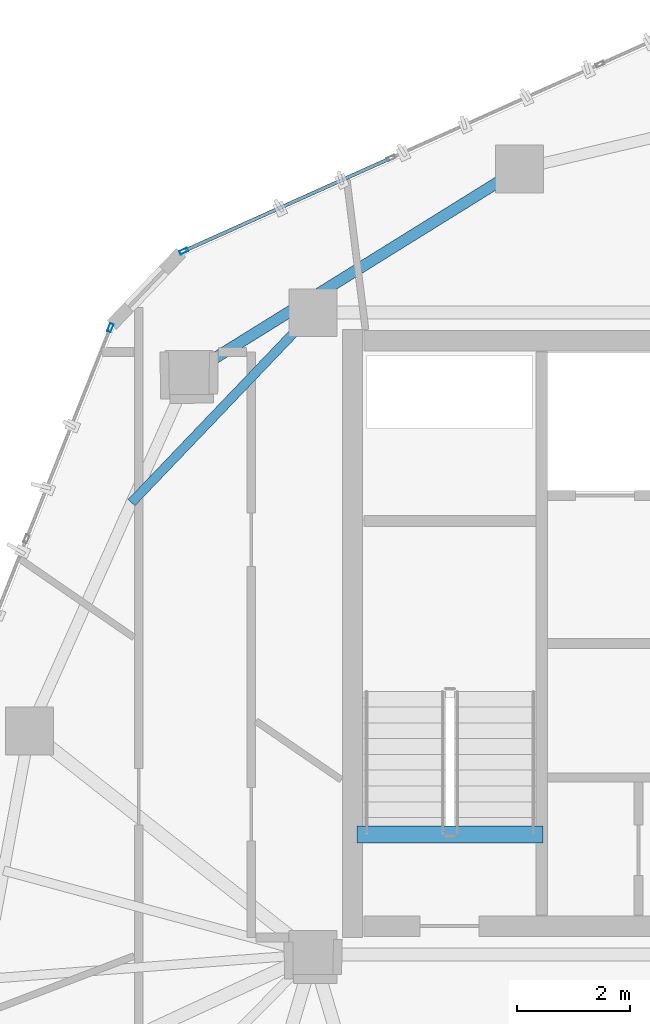
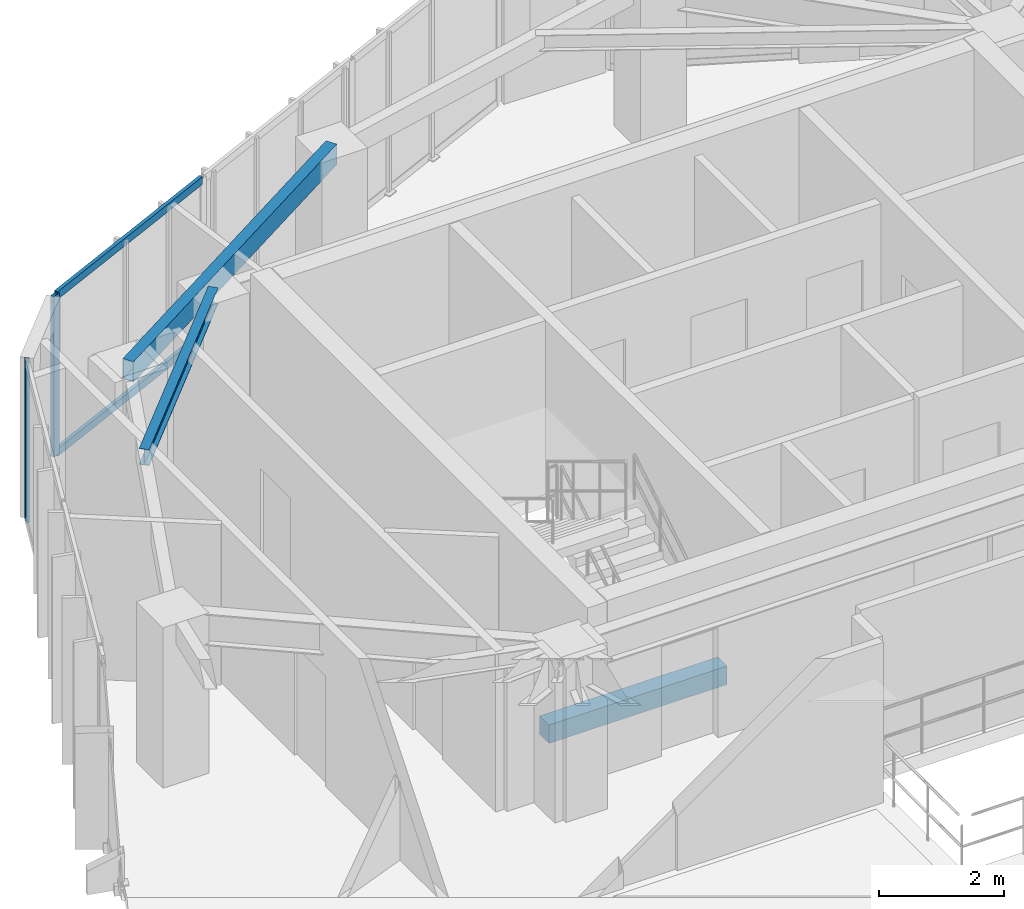
# One storey, part 8 of 21: 4 members, 3 beams, 2 elements without a shape of their own.
"""IFC4 building model written with IfcOpenShell, lengths in metres."""

import ifcopenshell
import ifcopenshell.guid

model = None  # the IFC model being written
_history = None  # IfcOwnerHistory: only IFC2X3 demands one
_inside = {}  # id of a spatial element -> (the spatial element, [elements in it])
_under = {}  # id of a project, library or spatial element -> (it, [spatial elements below it])
_declared = {}  # id of a project -> (the project, [libraries it declares])
_typed = {}  # id of a type object -> (the type object, [elements of that type])
_made_of = {}  # id of a material, layer set ... -> (it, [elements and type objects made of it])


def new_model(schema):
    """Start an empty IFC model of exactly this schema.

    Asked for "IFC4X3", IfcOpenShell would pick the latest addendum, in which some entities
    have other attributes; the version numbers below select the first issue.
    IFC2X3 requires an IfcOwnerHistory on every rooted entity: one is made here for all.
    """
    global model, _history
    if schema == "IFC4X3":
        model = ifcopenshell.file(schema_version=(4, 3, 0, 0))
    else:
        model = ifcopenshell.file(schema=schema)
    _inside.clear()
    _under.clear()
    _declared.clear()
    _typed.clear()
    _made_of.clear()
    _history = None
    if model.schema == "IFC2X3":
        org = make("IfcOrganization", Name="unknown")
        user = make(
            "IfcPersonAndOrganization",
            ThePerson=make("IfcPerson", FamilyName="unknown"),
            TheOrganization=org,
        )
        app = make(
            "IfcApplication",
            ApplicationDeveloper=org,
            Version="unknown",
            ApplicationFullName="unknown",
            ApplicationIdentifier="unknown",
        )
        _history = make(
            "IfcOwnerHistory",
            OwningUser=user,
            OwningApplication=app,
            ChangeAction="ADDED",
            CreationDate=0,
        )
    return model


def make(cls, **values):
    """One entity of the class cls with the attributes given. An attribute that is None is left unset."""
    return model.create_entity(
        cls, **{name: value for name, value in values.items() if value is not None}
    )


def rooted(cls, **values):
    """An entity with a GlobalId (a new one), such as an element, a storey or a relation."""
    return make(cls, GlobalId=ifcopenshell.guid.new(), OwnerHistory=_history, **values)


def si_unit(unit_type, name, prefix=None):
    """IfcSIUnit, for example si_unit("LENGTHUNIT", "METRE", prefix="MILLI")."""
    return make("IfcSIUnit", UnitType=unit_type, Prefix=prefix, Name=name)


def assignment(units):
    """IfcUnitAssignment: the units of a project."""
    return None if units is None else make("IfcUnitAssignment", Units=units)


def point(xyz):
    """IfcCartesianPoint."""
    return None if xyz is None else make("IfcCartesianPoint", Coordinates=xyz)


def direction(xyz):
    """IfcDirection."""
    return None if xyz is None else make("IfcDirection", DirectionRatios=xyz)


def frame(location, z_axis=None, x_axis=None):
    """IfcAxis2Placement3D, a coordinate frame: its origin and axes. An axis left out is left unset."""
    return make(
        "IfcAxis2Placement3D",
        Location=point(location),
        Axis=direction(z_axis),
        RefDirection=direction(x_axis),
    )


def frame_2d(location, x_axis=None):
    """IfcAxis2Placement2D, a coordinate frame in the plane: its origin and x axis."""
    return make(
        "IfcAxis2Placement2D", Location=point(location), RefDirection=direction(x_axis)
    )


def origin():
    """The frame at (0, 0, 0) with its axes left unset."""
    return frame((0.0, 0.0, 0.0))


def origin_2d():
    """The frame at (0, 0) in the plane with its x axis left unset."""
    return frame_2d((0.0, 0.0))


def place(relative_to, where):
    """IfcLocalPlacement: puts the frame where relative to a parent placement (None: the world)."""
    return make(
        "IfcLocalPlacement", PlacementRelTo=relative_to, RelativePlacement=where
    )


def context(
    kind, dimensions, precision=None, world=None, true_north=None, identifier=None
):
    """IfcGeometricRepresentationContext, for example the 3D "Model" context."""
    return make(
        "IfcGeometricRepresentationContext",
        ContextIdentifier=identifier,
        ContextType=kind,
        CoordinateSpaceDimension=dimensions,
        Precision=precision,
        WorldCoordinateSystem=world,
        TrueNorth=true_north,
    )


def subcontext(parent, identifier, kind, view, scale=None):
    """IfcGeometricRepresentationSubContext, for example "Body" below "Model"."""
    return make(
        "IfcGeometricRepresentationSubContext",
        ContextIdentifier=identifier,
        ContextType=kind,
        ParentContext=parent,
        TargetScale=scale,
        TargetView=view,
    )


def project(units=None, contexts=None):
    """IfcProject with its units and contexts."""
    return rooted(
        "IfcProject",
        Name="project",
        RepresentationContexts=contexts,
        UnitsInContext=assignment(units),
    )


def spatial(cls, under=None, at=None, **own):
    """A site, building, storey or space (cls), placed at a placement, below another one or the project."""
    s = rooted(cls, ObjectPlacement=at, **own)
    if under is not None:
        _under.setdefault(under.id(), (under, []))[1].append(s)
    return s


def profile(cls, at=None, kind="AREA", **sizes):
    """A parametric profile (cls). Its sizes go by their IFC names, for example OverallWidth=200.0."""
    return make(cls, ProfileType=kind, Position=at, **sizes)


def rectangle(**sizes):
    """IfcRectangleProfileDef."""
    return profile("IfcRectangleProfileDef", **sizes)


def hollow_rectangle(**sizes):
    """IfcRectangleHollowProfileDef."""
    return profile("IfcRectangleHollowProfileDef", **sizes)


def i_section(**sizes):
    """IfcIShapeProfileDef."""
    return profile("IfcIShapeProfileDef", **sizes)


def extrude(swept, where, along, depth):
    """IfcExtrudedAreaSolid: the profile swept, set in the frame where, extruded along a direction by depth."""
    return make(
        "IfcExtrudedAreaSolid",
        SweptArea=swept,
        Position=where,
        ExtrudedDirection=direction(along),
        Depth=depth,
    )


def shape(context_of_items, identifier, shape_type, items):
    """IfcShapeRepresentation: the items that make up one representation, for example the "Body"."""
    return make(
        "IfcShapeRepresentation",
        ContextOfItems=context_of_items,
        RepresentationIdentifier=identifier,
        RepresentationType=shape_type,
        Items=items,
    )


def source(mapping_origin, context_of_items, identifier, shape_type, items):
    """IfcRepresentationMap: a shape defined once, which mapped items show again and again."""
    return make(
        "IfcRepresentationMap",
        MappingOrigin=mapping_origin,
        MappedRepresentation=shape(context_of_items, identifier, shape_type, items),
    )


def transform(
    local_origin,
    x_axis=None,
    y_axis=None,
    z_axis=None,
    scale=None,
    scale2=None,
    scale3=None,
    uniform=True,
):
    """IfcCartesianTransformationOperator3D, or its non-uniform kind. x_axis, y_axis, z_axis: its Axis1, 2, 3."""
    if uniform:
        return make(
            "IfcCartesianTransformationOperator3D",
            Axis1=direction(x_axis),
            Axis2=direction(y_axis),
            LocalOrigin=point(local_origin),
            Scale=scale,
            Axis3=direction(z_axis),
        )
    return make(
        "IfcCartesianTransformationOperator3DnonUniform",
        Axis1=direction(x_axis),
        Axis2=direction(y_axis),
        LocalOrigin=point(local_origin),
        Scale=scale,
        Axis3=direction(z_axis),
        Scale2=scale2,
        Scale3=scale3,
    )


def mapped(mapping_source, mapping_target):
    """IfcMappedItem: shows the shape of a source again, moved by a transform."""
    return make(
        "IfcMappedItem", MappingSource=mapping_source, MappingTarget=mapping_target
    )


def material(Name=None, Category=None):
    """IfcMaterial."""
    return make("IfcMaterial", Name=Name, Category=Category)


def layer(
    of_material, thickness, ventilated=None, Name=None, Category=None, Priority=None
):
    """IfcMaterialLayer: one layer of a wall or slab, of a material (None: an air gap)."""
    return make(
        "IfcMaterialLayer",
        Material=of_material,
        LayerThickness=thickness,
        IsVentilated=ventilated,
        Name=Name,
        Category=Category,
        Priority=Priority,
    )


def layer_set(layers, Name=None):
    """IfcMaterialLayerSet."""
    return make("IfcMaterialLayerSet", MaterialLayers=layers, LayerSetName=Name)


def material_profile(
    of_material, cross_section, Name=None, Category=None, Priority=None
):
    """IfcMaterialProfile: a cross section and its material."""
    return make(
        "IfcMaterialProfile",
        Name=Name,
        Material=of_material,
        Profile=cross_section,
        Priority=Priority,
        Category=Category,
    )


def profile_set(profiles, Name=None, composite=None):
    """IfcMaterialProfileSet."""
    return make(
        "IfcMaterialProfileSet",
        Name=Name,
        MaterialProfiles=profiles,
        CompositeProfile=composite,
    )


def made_of(thing, what):
    """Note that an element or type object is made of a material, layer set ...; save() writes the relation."""
    if what is not None:
        _made_of.setdefault(what.id(), (what, []))[1].append(thing)
    return thing


def type_object(cls, material=None, **own):
    """A type object (cls), such as IfcWallType, which elements share."""
    return made_of(rooted(cls, **own), material)


def type_shapes(of_type, sources):
    """Give a type object the sources (RepresentationMaps) that its elements show as mapped items."""
    of_type.RepresentationMaps = sources


def element(
    cls,
    number,
    at=None,
    inside=None,
    cuts=None,
    type_object=None,
    material=None,
    context=None,
    identifier="Body",
    shape_type=None,
    held_by="IfcProductDefinitionShape",
    body=None,
    shapes=None,
    **own,
):
    """One element of the class cls, such as IfcWall. Its Tag is "e" and its number.

    at: its placement. inside: the storey or other place that contains it. cuts: it is an
    opening in that element (IfcRelVoidsElement). A single representation is given by context,
    identifier, shape_type and body (its items); several are given by shapes. held_by: the class
    of the entity that holds the representations. save() writes the other relations.
    """
    e = rooted(cls, Tag="e%d" % number, ObjectPlacement=at, **own)
    if body is not None:
        shapes = [shape(context, identifier, shape_type, body)]
    if shapes is not None:
        e.Representation = make(held_by, Representations=shapes)
    if inside is not None:
        _inside.setdefault(inside.id(), (inside, []))[1].append(e)
    if cuts is not None:
        rooted(
            "IfcRelVoidsElement", RelatingBuildingElement=cuts, RelatedOpeningElement=e
        )
    if type_object is not None:
        _typed.setdefault(type_object.id(), (type_object, []))[1].append(e)
    return made_of(e, material)


def aggregate(whole, parts):
    """IfcRelAggregates: a whole, such as a stair, and the parts it consists of."""
    return rooted("IfcRelAggregates", RelatingObject=whole, RelatedObjects=parts)


def save(model, path):
    """Write the relations noted so far, then the file.

    IfcRelAggregates (storeys below a building ...), IfcRelContainedInSpatialStructure (elements
    in a storey), IfcRelDefinesByType, IfcRelAssociatesMaterial and IfcRelDeclares: one each for
    every whole, place, type object, material and project.
    """
    for whole, parts in _under.values():
        aggregate(whole, parts)
    for where, things in _inside.values():
        rooted(
            "IfcRelContainedInSpatialStructure",
            RelatedElements=things,
            RelatingStructure=where,
        )
    for kind, things in _typed.values():
        rooted("IfcRelDefinesByType", RelatedObjects=things, RelatingType=kind)
    for what, things in _made_of.values():
        rooted("IfcRelAssociatesMaterial", RelatedObjects=things, RelatingMaterial=what)
    for by, libraries in _declared.values():
        rooted("IfcRelDeclares", RelatingContext=by, RelatedDefinitions=libraries)
    model.write(path)


model = new_model("IFC4")

# Units and contexts
model_context = context("Model", 3, precision=1e-05, world=origin(), true_north=direction((0.0, 1.0)))
body_context = subcontext(model_context, "Body", "Model", "MODEL_VIEW")
ifc_project = project(units=[si_unit("LENGTHUNIT", "METRE"), si_unit("AREAUNIT", "SQUARE_METRE"), si_unit("VOLUMEUNIT", "CUBIC_METRE"), si_unit("PLANEANGLEUNIT", "RADIAN"), si_unit("MASSUNIT", "GRAM", prefix="KILO")], contexts=[model_context])

# Site, building, storey
site_placement = place(None, origin())
site = spatial("IfcSite", under=ifc_project, at=site_placement, CompositionType="ELEMENT")
building_placement = place(site_placement, origin())
building = spatial("IfcBuilding", under=site, at=building_placement, Name="Talar Marvaseh", CompositionType="ELEMENT")
storey_placement = place(building_placement, frame((0.0, 0.0, 271.39990234375)))
storey = spatial("IfcBuildingStorey", under=building, at=storey_placement, Name="L72", CompositionType="ELEMENT", Elevation=271.39990234375)

# Beams
ifc_material_1 = material(Name="Concrete C40/50", Category="concrete")
ifc_material_profile_1 = material_profile(ifc_material_1, rectangle(XDim=0.300048828125, YDim=0.360107421875, at=origin_2d()), Name="RC300x360")
ifc_profile_set_1 = profile_set([ifc_material_profile_1], Name="Concrete C40/50")
beam_type_1 = type_object("IfcBeamType", Name="Concrete Stair Landing Trimmer Beam RC300x360", PredefinedType="SPANDREL", material=ifc_profile_set_1)
beam_1_placement = place(storey_placement, frame((22.780029296875, 27.6298828125, -0.179931640625), z_axis=(-1.0, 0.0, 0.0), x_axis=(0.0, -1.0, 0.0)))
element("IfcBeam", 1, at=beam_1_placement, inside=storey, type_object=beam_type_1, Name="L72 ST-1 Stair Nosing Trimmer Beam", PredefinedType="SPANDREL", context=body_context, shape_type="SweptSolid", body=[
    extrude(rectangle(XDim=0.300048828125, YDim=0.360107421875, at=origin_2d()), origin(), (0.0, 0.0, 1.0), 3.300048828125),
])
ifc_material_2 = material(Name="Steel S355", Category="steel")
ifc_material_profile_2 = material_profile(ifc_material_2, hollow_rectangle(XDim=0.199951171875, YDim=0.39990234375, WallThickness=0.013916015625, at=origin_2d()), Name="RHS400x200x14")
ifc_profile_set_2 = profile_set([ifc_material_profile_2], Name="Steel S355")
beam_type_2 = type_object("IfcBeamType", Name="Zone 3 Perimeter Spandrel Beam RHS400x200x14", PredefinedType="SPANDREL", material=ifc_profile_set_2)
beam_2_placement = place(storey_placement, frame((16.493896484375, 35.806884765625, 2.940185546875), z_axis=(0.849439811678, 0.527685518407, 0.0), x_axis=(-0.527685518407, 0.849439811678, 0.0)))
element("IfcBeam", 2, at=beam_2_placement, inside=storey, type_object=beam_type_2, Name="L72 Zone 3 Perimeter Spandrel Beam RHS400x200x14", PredefinedType="SPANDREL", context=body_context, shape_type="SweptSolid", body=[
    extrude(hollow_rectangle(XDim=0.199951171875, YDim=0.39990234375, WallThickness=0.013916015625, at=origin_2d()), origin(), (0.0, 0.0, 1.0), 6.91162109375),
])
ifc_material_profile_3 = material_profile(ifc_material_2, i_section(OverallWidth=0.166015625, OverallDepth=0.31298828125, WebThickness=0.006591796875, FlangeThickness=0.01123046875, at=origin_2d()), Name="W310x45")
ifc_profile_set_3 = profile_set([ifc_material_profile_3], Name="Steel S355")
beam_type_3 = type_object("IfcBeamType", Name="Zone 3 Secondary Floor Joist W310x45", PredefinedType="JOIST", material=ifc_profile_set_3)
beam_3_placement = place(storey_placement, frame((15.472900390625, 33.525634765625, 2.983642578125), z_axis=(0.691165656787, 0.722696364235, 0.0), x_axis=(-0.722696364235, 0.691165656787, 0.0)))
element("IfcBeam", 3, at=beam_3_placement, inside=storey, type_object=beam_type_3, Name="L72 Zone 3 Secondary Floor Joist W310x45", PredefinedType="JOIST", context=body_context, shape_type="SweptSolid", body=[
    extrude(i_section(OverallWidth=0.166015625, OverallDepth=0.31298828125, WebThickness=0.006591796875, FlangeThickness=0.01123046875, at=origin_2d()), origin(), (0.0, 0.0, 1.0), 4.6689453125),
])

# Curtain wall, members
ifc_material_3 = material(Name="Architectural Aluminium", Category="aluminium")
ifc_layer = layer(ifc_material_3, 0.179931640625)
ifc_layer_set = layer_set([ifc_layer], Name="Architectural Aluminium")
curtain_wall_type = type_object("IfcCurtainWallType", Name="Unitised High-Wind Sky Curtain Wall Z4", PredefinedType="NOTDEFINED", material=ifc_layer_set)
curtain_wall_1_placement = place(storey_placement, origin())
curtain_wall_1 = element("IfcCurtainWall", 4, at=curtain_wall_1_placement, inside=storey, type_object=curtain_wall_type, Name="L72 Unitised High-Wind Sky Curtain Wall Z4", PredefinedType="NOTDEFINED")
ifc_material_profile_4 = material_profile(ifc_material_3, hollow_rectangle(XDim=0.06494140625, YDim=0.14990234375, WallThickness=0.00390625, at=origin_2d()), Name="RHS150x65x4")
ifc_profile_set_4 = profile_set([ifc_material_profile_4], Name="Architectural Aluminium")
member_type_1 = type_object("IfcMemberType", Name="Unitised Curtain Wall Slim Transom RHS150x65x4", PredefinedType="USERDEFINED", material=ifc_profile_set_4)
shared_shape_1 = source(origin(), body_context, "Body", "SweptSolid", [
    extrude(hollow_rectangle(XDim=0.06494140625, YDim=0.14990234375, WallThickness=0.00390625, at=origin_2d()), origin(), (0.0, 0.0, 1.0), 3.97119140625),
])
type_shapes(member_type_1, [shared_shape_1])
member_1_placement = place(storey_placement, frame((16.43115234375, 38.007080078125, 0.03271484375), z_axis=(0.91225593784, 0.409620682919, 0.0), x_axis=(-0.409620682919, 0.91225593784, 0.0)))
member_1 = element("IfcMember", 5, at=member_1_placement, type_object=member_type_1, Name="CW-Z4 transom 1.1", ObjectType="TRANSOM", PredefinedType="USERDEFINED", context=body_context, shape_type="MappedRepresentation", body=[
    mapped(shared_shape_1, transform((0.0, 0.0, 0.0), x_axis=(1.0, 0.0, 0.0), y_axis=(0.0, 1.0, 0.0), z_axis=(0.0, 0.0, 1.0), scale=1.0)),
])
member_2_placement = place(storey_placement, frame((16.43115234375, 38.007080078125, 3.107666015625), z_axis=(0.91225593784, 0.409620682919, 0.0), x_axis=(-0.409620682919, 0.91225593784, 0.0)))
member_2 = element("IfcMember", 6, at=member_2_placement, type_object=member_type_1, Name="CW-Z4 transom 1.2", ObjectType="TRANSOM", PredefinedType="USERDEFINED", context=body_context, shape_type="MappedRepresentation", body=[
    mapped(shared_shape_1, transform((0.0, 0.0, 0.0), x_axis=(1.0, 0.0, 0.0), y_axis=(0.0, 1.0, 0.0), z_axis=(0.0, 0.0, 1.0), scale=1.0)),
])

# Curtain wall, member
curtain_wall_2_placement = place(storey_placement, origin())
curtain_wall_2 = element("IfcCurtainWall", 7, at=curtain_wall_2_placement, inside=storey, type_object=curtain_wall_type, Name="L72 Unitised High-Wind Sky Curtain Wall Z4", PredefinedType="NOTDEFINED")
ifc_material_profile_5 = material_profile(ifc_material_3, hollow_rectangle(XDim=0.06494140625, YDim=0.14990234375, WallThickness=0.00390625, at=origin_2d()), Name="RHS150x65x4")
ifc_profile_set_5 = profile_set([ifc_material_profile_5], Name="Architectural Aluminium")
member_type_2 = type_object("IfcMemberType", Name="Unitised Curtain Wall Slim Mullion RHS150x65x4", PredefinedType="MULLION", material=ifc_profile_set_5)
shared_shape_2 = source(origin(), body_context, "Body", "SweptSolid", [
    extrude(hollow_rectangle(XDim=0.06494140625, YDim=0.14990234375, WallThickness=0.00390625, at=origin_2d()), origin(), (0.0, 0.0, 1.0), 3.14013671875),
])
type_shapes(member_type_2, [shared_shape_2])
member_3_placement = place(storey_placement, frame((15.097412109375, 36.631591796875, 0.0), z_axis=(0.0, 0.0, 1.0), x_axis=(-0.929250430647, 0.369450452893, 0.0)))
member_3 = element("IfcMember", 8, at=member_3_placement, type_object=member_type_2, Name="CW-Z4 mullion 4", PredefinedType="MULLION", context=body_context, shape_type="MappedRepresentation", body=[
    mapped(shared_shape_2, transform((0.0, 0.0, 0.0), x_axis=(1.0, 0.0, 0.0), y_axis=(0.0, 1.0, 0.0), z_axis=(0.0, 0.0, 1.0), scale=1.0)),
])
aggregate(curtain_wall_2, [member_3])

# Member
member_4_placement = place(storey_placement, frame((16.401611328125, 37.993896484375, 0.0), z_axis=(0.0, 0.0, 1.0), x_axis=(-0.409635208061, 0.91224941563, 0.0)))
member_4 = element("IfcMember", 9, at=member_4_placement, type_object=member_type_2, Name="CW-Z4 mullion 1", PredefinedType="MULLION", context=body_context, shape_type="MappedRepresentation", body=[
    mapped(shared_shape_2, transform((0.0, 0.0, 0.0), x_axis=(1.0, 0.0, 0.0), y_axis=(0.0, 1.0, 0.0), z_axis=(0.0, 0.0, 1.0), scale=1.0)),
])

aggregate(curtain_wall_1, [member_4, member_1, member_2])

save(model, "model.ifc")
